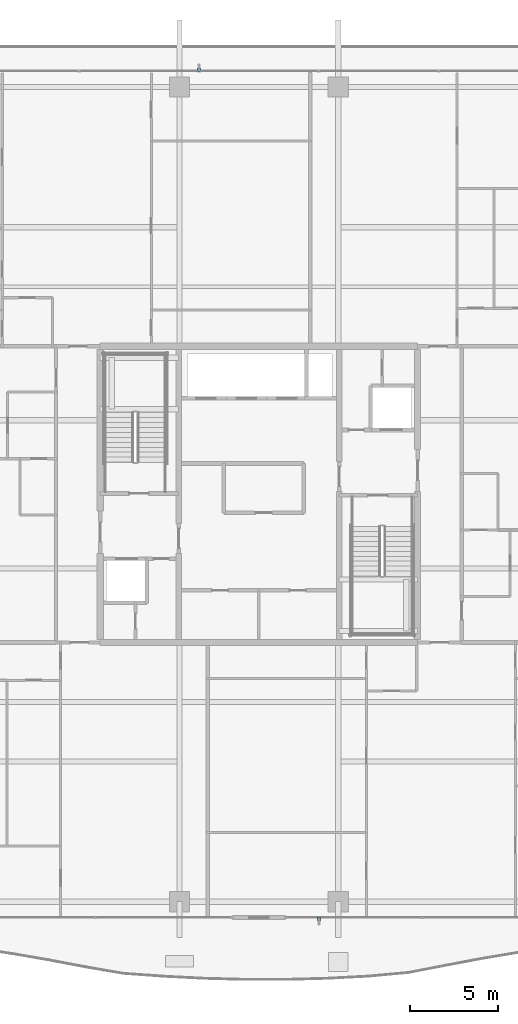
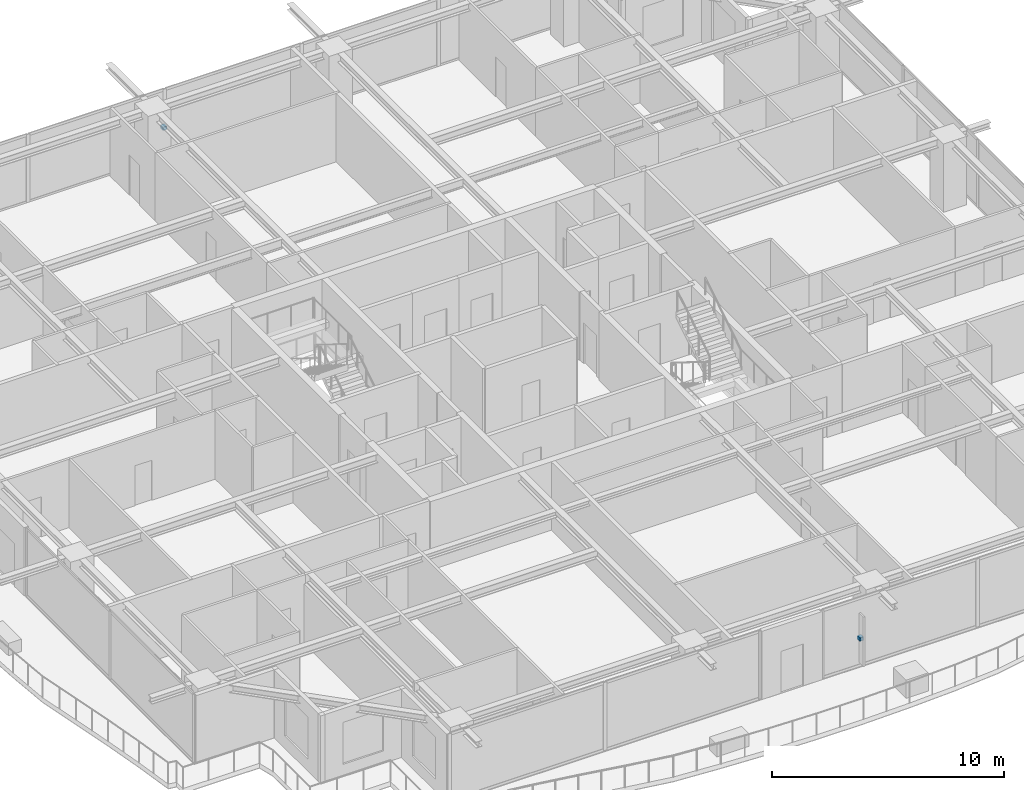
# One storey, part 29 of 37: 2 discrete accessories.
"""IFC4 building model written with IfcOpenShell, lengths in metres."""

from ifc_helpers import new_model, si_unit, direction, frame, origin, origin_2d, place, context, subcontext, project, spatial, rectangle, extrude, source, transform, mapped, material, type_object, element, save


model = new_model("IFC4")

# Units and contexts
model_context = context("Model", 3, precision=1e-05, world=origin(), true_north=direction((0.0, 1.0)))
body_context = subcontext(model_context, "Body", "Model", "MODEL_VIEW")
ifc_project = project(units=[si_unit("LENGTHUNIT", "METRE"), si_unit("AREAUNIT", "SQUARE_METRE"), si_unit("VOLUMEUNIT", "CUBIC_METRE"), si_unit("PLANEANGLEUNIT", "RADIAN"), si_unit("MASSUNIT", "GRAM", prefix="KILO")], contexts=[model_context])

# Site, building, storey
site_placement = place(None, origin())
site = spatial("IfcSite", under=ifc_project, at=site_placement, CompositionType="ELEMENT")
building_placement = place(site_placement, origin())
building = spatial("IfcBuilding", under=site, at=building_placement, Name="Serunith Strait Residences", CompositionType="ELEMENT")
storey_placement = place(building_placement, frame((0.0, 0.0, 218.14990234375)))
storey = spatial("IfcBuildingStorey", under=building, at=storey_placement, Name="L54", CompositionType="ELEMENT", Elevation=218.14990234375)

# Discrete accessories
ifc_material = material(Name="Stainless Steel Facade Cleat Bracket", Category="steel")
discrete_accessory_type = type_object("IfcDiscreteAccessoryType", Name="ACC-FIN-BRACKET", PredefinedType="USERDEFINED", material=ifc_material)
shared_shape = source(origin(), body_context, "Body", "SweptSolid", [
    extrude(rectangle(XDim=0.179931640625, YDim=0.219970703125, at=origin_2d()), origin(), (0.0, 0.0, 1.0), 0.179931640625),
])
for number, where, z_axis, x_axis, name in (
    (1, (35.800048828125, 1.1201171875, 1.41015625), (0.0, 0.0, 1.0), (1.0, 0.0, 0.0), "L54 Solar Fin Cleat Bracket S"),
    (2, (29.0, 49.280029296875, 1.41015625), (0.0, 0.0, 1.0), (1.0, 0.0, 0.0), "L54 Solar Fin Cleat Bracket N"),
):
    element("IfcDiscreteAccessory", number, at=place(storey_placement, frame(where, z_axis=z_axis, x_axis=x_axis)), inside=storey, type_object=discrete_accessory_type, Name=name, ObjectType="BRACKET", PredefinedType="USERDEFINED", context=body_context, shape_type="MappedRepresentation", body=[
        mapped(shared_shape, transform((0.0, 0.0, 0.0), scale=1.0)),
    ])

save(model, "model.ifc")
